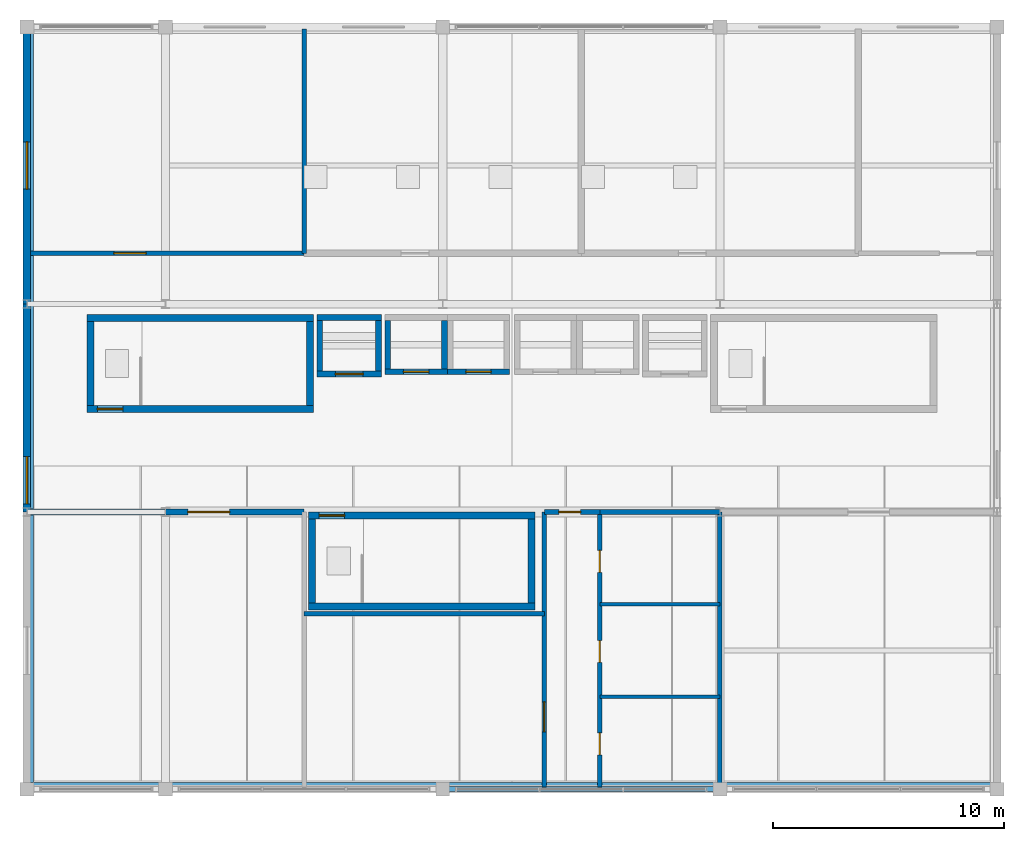
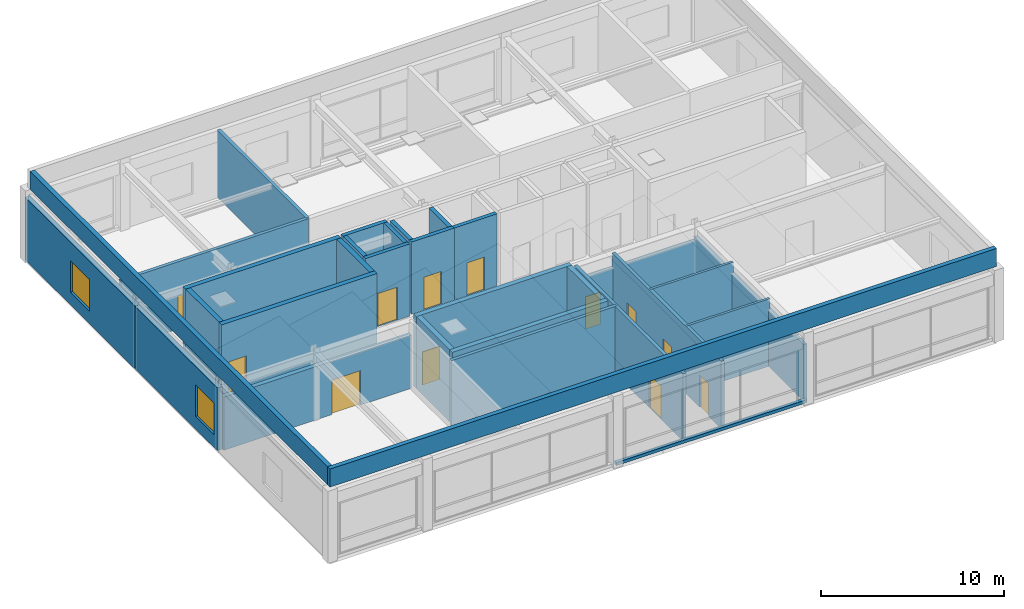
# One storey, part 13 of 16: 32 walls, 12 doors, 2 windows, 14 openings.
"""IFC4 building model written with IfcOpenShell, lengths in metres."""

from ifc_helpers import new_model, si_unit, direction, frame, frame_2d, origin, place, context, subcontext, project, spatial, rectangle, extrude, material, layer, layer_set, type_object, element, fill, save


model = new_model("IFC4")

# Units and contexts
model_context = context("Model", 3, precision=1e-05, world=origin(), true_north=direction((0.0, 1.0)))
body_context = subcontext(model_context, "Body", "Model", "MODEL_VIEW")
ifc_project = project(units=[si_unit("LENGTHUNIT", "METRE"), si_unit("AREAUNIT", "SQUARE_METRE"), si_unit("VOLUMEUNIT", "CUBIC_METRE"), si_unit("PLANEANGLEUNIT", "RADIAN"), si_unit("MASSUNIT", "GRAM", prefix="KILO")], contexts=[model_context])

# Site, building, storey
site_placement = place(None, origin())
site = spatial("IfcSite", under=ifc_project, at=site_placement, CompositionType="ELEMENT")
building_placement = place(site_placement, origin())
building = spatial("IfcBuilding", under=site, at=building_placement, Name="Kaldorvane Square Convention Centre", CompositionType="ELEMENT")
storey_placement = place(building_placement, frame((0.0, 0.0, 70.80000305175781)))
storey = spatial("IfcBuildingStorey", under=building, at=storey_placement, Name="L17", CompositionType="ELEMENT", Elevation=70.80000305175781)

# Wall, opening, door
ifc_material_1 = material(Name="Reinforced Concrete Masonry Acoustic Partition", Category="masonry")
ifc_layer_1 = layer(ifc_material_1, 0.279998779296875)
ifc_layer_set_1 = layer_set([ifc_layer_1], Name="Reinforced Concrete Masonry Acoustic Partition")
wall_type_1 = type_object("IfcWallType", Name="WL-ACO-280", PredefinedType="PARTITIONING", material=ifc_layer_set_1)
wall_1_placement = place(storey_placement, frame((48.0, 96.0, 0.0), z_axis=(0.0, 0.0, 1.0), x_axis=(-1.0, 0.0, 0.0)))
wall_1 = element("IfcWall", 1, at=wall_1_placement, inside=storey, type_object=wall_type_1, Name="Sky Horizon Reception Lounge N Wall", PredefinedType="PARTITIONING", context=body_context, shape_type="SweptSolid", body=[
    extrude(rectangle(XDim=11.839996337890625, YDim=0.279998779296875, at=frame_2d((5.9199981689453125, 0.0))), origin(), (0.0, 0.0, 1.0), 3.5489959716796875),
])
opening_1_placement = place(wall_1_placement, frame((3.2299957275390625, 0.0, 0.0)))
opening_1 = element("IfcOpeningElement", 2, at=opening_1_placement, cuts=wall_1, Name="Opening ID-15", PredefinedType="OPENING", context=body_context, shape_type="SweptSolid", body=[
    extrude(rectangle(XDim=1.8000030517578125, YDim=2.3000030517578125, at=frame_2d((0.899993896484375, 1.149993896484375))), frame((0.0, 0.154998779296875, 0.0), z_axis=(0.0, -1.0, 0.0), x_axis=(1.0, 0.0, 0.0)), (0.0, 0.0, 1.0), 0.30999755859375),
])
ifc_material_2 = material(Name="Acoustic Laminated Glass in Aluminum Frame", Category="aluminium")
door_type_1 = type_object("IfcDoorType", Name="DR-GL-1800X2300", OperationType="DOUBLE_DOOR_SINGLE_SWING", PredefinedType="DOOR", material=ifc_material_2)
door_1_placement = place(opening_1_placement, origin())
door_1 = element("IfcDoor", 3, at=door_1_placement, inside=storey, type_object=door_type_1, Name="Sky Horizon Reception Lounge Door 1", OperationType="DOUBLE_DOOR_SINGLE_SWING", OverallHeight=2.3000030517578125, OverallWidth=1.8000030517578125, PredefinedType="DOOR", context=body_context, shape_type="SweptSolid", body=[
    extrude(rectangle(XDim=1.8000030517578125, YDim=2.3000030517578125, at=frame_2d((0.899993896484375, 1.149993896484375))), frame((0.0, 0.024993896484375, 0.0), z_axis=(0.0, -1.0, 0.0), x_axis=(1.0, 0.0, 0.0)), (0.0, 0.0, 1.0), 0.0500030517578125),
])
fill(opening_1, door_1)

ifc_material_3 = material(Name="Fire-Rated Gypsum Board on Acoustic Steel Studs", Category="steel")
ifc_layer_2 = layer(ifc_material_3, 0.1999969482421875)
ifc_layer_set_2 = layer_set([ifc_layer_2], Name="Fire-Rated Gypsum Board on Acoustic Steel Studs")
wall_type_2 = type_object("IfcWallType", Name="WL-CORR-200", PredefinedType="PARTITIONING", material=ifc_layer_set_2)
wall_2_placement = place(storey_placement, frame((58.399993896484375, 96.0, 0.0), z_axis=(0.0, 0.0, 1.0), x_axis=(1.0, 0.0, 0.0)))
wall_2 = element("IfcWall", 4, at=wall_2_placement, inside=storey, type_object=wall_type_2, Name="Restroom Vestibule Entry Header (L17)", PredefinedType="PARTITIONING", context=body_context, shape_type="SweptSolid", body=[
    extrude(rectangle(XDim=2.4000091552734375, YDim=0.1999969482421875, at=frame_2d((1.20001220703125, 0.0))), origin(), (0.0, 0.0, 1.0), 3.5489959716796875),
])
opening_2_placement = place(wall_2_placement, frame((0.625, 0.0, 0.0)))
opening_2 = element("IfcOpeningElement", 5, at=opening_2_placement, cuts=wall_2, Name="Opening ID-13", PredefinedType="OPENING", context=body_context, shape_type="SweptSolid", body=[
    extrude(rectangle(XDim=0.9499969482421875, YDim=2.149993896484375, at=frame_2d((0.475006103515625, 1.0749969482421875))), frame((0.0, 0.114990234375, 0.0), z_axis=(0.0, -1.0, 0.0), x_axis=(1.0, 0.0, 0.0)), (0.0, 0.0, 1.0), 0.2299957275390625),
])
ifc_material_4 = material(Name="Architectural Solid-Core White Oak")
door_type_2 = type_object("IfcDoorType", Name="DR-WC-0950X2150", OperationType="SINGLE_SWING_LEFT", PredefinedType="DOOR", material=ifc_material_4)
door_2_placement = place(opening_2_placement, origin())
door_2 = element("IfcDoor", 6, at=door_2_placement, inside=storey, type_object=door_type_2, Name="Restroom Vestibule Door (L17)", OperationType="SINGLE_SWING_LEFT", OverallHeight=2.149993896484375, OverallWidth=0.9499969482421875, PredefinedType="DOOR", context=body_context, shape_type="SweptSolid", body=[
    extrude(rectangle(XDim=0.9499969482421875, YDim=2.149993896484375, at=frame_2d((0.475006103515625, 1.0749969482421875))), frame((0.0, 0.024993896484375, 0.0), z_axis=(0.0, -1.0, 0.0), x_axis=(1.0, 0.0, 0.0)), (0.0, 0.0, 1.0), 0.0500030517578125),
])
fill(opening_2, door_2)

wall_3_placement = place(storey_placement, frame((58.399993896484375, 84.08500671386719, 0.0), z_axis=(0.0, 0.0, 1.0), x_axis=(0.0, 1.0, 0.0)))
wall_3 = element("IfcWall", 7, at=wall_3_placement, inside=storey, type_object=wall_type_2, Name="Restroom Vestibule West Wall (L17)", PredefinedType="PARTITIONING", context=body_context, shape_type="SweptSolid", body=[
    extrude(rectangle(XDim=11.914993286132812, YDim=0.1999969482421875, at=frame_2d((5.957489013671875, 0.0))), origin(), (0.0, 0.0, 1.0), 4.4799957275390625),
])
opening_3_placement = place(wall_3_placement, frame((2.399993896484375, 0.0, 0.0)))
opening_3 = element("IfcOpeningElement", 8, at=opening_3_placement, cuts=wall_3, Name="Opening ID-09", PredefinedType="OPENING", context=body_context, shape_type="SweptSolid", body=[
    extrude(rectangle(XDim=1.3000030517578125, YDim=2.1999969482421875, at=frame_2d((0.649993896484375, 1.100006103515625))), frame((0.0, 0.114990234375, 0.0), z_axis=(0.0, -1.0, 0.0), x_axis=(1.0, 0.0, 0.0)), (0.0, 0.0, 1.0), 0.2299957275390625),
])
ifc_material_5 = material(Name="Insulated Hollow Metal Steel", Category="steel")
door_type_3 = type_object("IfcDoorType", Name="DR-SVC-1300X2200", OperationType="DOUBLE_DOOR_SINGLE_SWING", PredefinedType="DOOR", material=ifc_material_5)
door_3_placement = place(opening_3_placement, origin())
door_3 = element("IfcDoor", 9, at=door_3_placement, inside=storey, type_object=door_type_3, Name="Janitor and Service Closet (L17) Door", OperationType="DOUBLE_DOOR_SINGLE_SWING", OverallHeight=2.1999969482421875, OverallWidth=1.3000030517578125, PredefinedType="DOOR", context=body_context, shape_type="SweptSolid", body=[
    extrude(rectangle(XDim=1.3000030517578125, YDim=2.1999969482421875, at=frame_2d((0.649993896484375, 1.100006103515625))), frame((0.0, 0.024993896484375, 0.0), z_axis=(0.0, -1.0, 0.0), x_axis=(1.0, 0.0, 0.0)), (0.0, 0.0, 1.0), 0.0500030517578125),
])
fill(opening_3, door_3)

# Wall, openings, doors
wall_4_placement = place(storey_placement, frame((60.80000305175781, 84.08500671386719, 0.0), z_axis=(0.0, 0.0, 1.0), x_axis=(0.0, 1.0, 0.0)))
wall_4 = element("IfcWall", 10, at=wall_4_placement, inside=storey, type_object=wall_type_2, Name="Restroom Vestibule East Wall (L17)", PredefinedType="PARTITIONING", context=body_context, shape_type="SweptSolid", body=[
    extrude(rectangle(XDim=11.914993286132812, YDim=0.1999969482421875, at=frame_2d((5.957489013671875, 0.0))), origin(), (0.0, 0.0, 1.0), 4.4799957275390625),
])
opening_4_placement = place(wall_4_placement, frame((1.399993896484375, 0.0, 0.0)))
opening_4 = element("IfcOpeningElement", 11, at=opening_4_placement, cuts=wall_4, Name="Opening ID-13", PredefinedType="OPENING", context=body_context, shape_type="SweptSolid", body=[
    extrude(rectangle(XDim=0.9499969482421875, YDim=2.149993896484375, at=frame_2d((0.475006103515625, 1.0749969482421875))), frame((0.0, 0.114990234375, 0.0), z_axis=(0.0, -1.0, 0.0), x_axis=(1.0, 0.0, 0.0)), (0.0, 0.0, 1.0), 0.2299957275390625),
])
opening_5_placement = place(wall_4_placement, frame((5.399993896484375, 0.0, 0.0)))
opening_5 = element("IfcOpeningElement", 12, at=opening_5_placement, cuts=wall_4, Name="Opening ID-13", PredefinedType="OPENING", context=body_context, shape_type="SweptSolid", body=[
    extrude(rectangle(XDim=0.9499969482421875, YDim=2.149993896484375, at=frame_2d((0.475006103515625, 1.0749969482421875))), frame((0.0, 0.114990234375, 0.0), z_axis=(0.0, -1.0, 0.0), x_axis=(1.0, 0.0, 0.0)), (0.0, 0.0, 1.0), 0.2299957275390625),
])
opening_6_placement = place(wall_4_placement, frame((9.300003051757812, 0.0, 0.0)))
opening_6 = element("IfcOpeningElement", 13, at=opening_6_placement, cuts=wall_4, Name="Opening ID-13", PredefinedType="OPENING", context=body_context, shape_type="SweptSolid", body=[
    extrude(rectangle(XDim=0.9499969482421875, YDim=2.149993896484375, at=frame_2d((0.475006103515625, 1.0749969482421875))), frame((0.0, 0.114990234375, 0.0), z_axis=(0.0, -1.0, 0.0), x_axis=(1.0, 0.0, 0.0)), (0.0, 0.0, 1.0), 0.2299957275390625),
])
door_4_placement = place(opening_4_placement, origin())
door_4 = element("IfcDoor", 14, at=door_4_placement, inside=storey, type_object=door_type_2, Name="Accessible Restroom Door (L17)", OperationType="SINGLE_SWING_LEFT", OverallHeight=2.149993896484375, OverallWidth=0.9499969482421875, PredefinedType="DOOR", context=body_context, shape_type="SweptSolid", body=[
    extrude(rectangle(XDim=0.9499969482421875, YDim=2.149993896484375, at=frame_2d((0.475006103515625, 1.0749969482421875))), frame((0.0, 0.024993896484375, 0.0), z_axis=(0.0, -1.0, 0.0), x_axis=(1.0, 0.0, 0.0)), (0.0, 0.0, 1.0), 0.0500030517578125),
])
fill(opening_4, door_4)
door_5_placement = place(opening_5_placement, origin())
door_5 = element("IfcDoor", 15, at=door_5_placement, inside=storey, type_object=door_type_2, Name="Men's Restroom Door (L17)", OperationType="SINGLE_SWING_LEFT", OverallHeight=2.149993896484375, OverallWidth=0.9499969482421875, PredefinedType="DOOR", context=body_context, shape_type="SweptSolid", body=[
    extrude(rectangle(XDim=0.9499969482421875, YDim=2.149993896484375, at=frame_2d((0.475006103515625, 1.0749969482421875))), frame((0.0, 0.024993896484375, 0.0), z_axis=(0.0, -1.0, 0.0), x_axis=(1.0, 0.0, 0.0)), (0.0, 0.0, 1.0), 0.0500030517578125),
])
fill(opening_5, door_5)
door_6_placement = place(opening_6_placement, origin())
door_6 = element("IfcDoor", 16, at=door_6_placement, inside=storey, type_object=door_type_2, Name="Women's Restroom Door (L17)", OperationType="SINGLE_SWING_LEFT", OverallHeight=2.149993896484375, OverallWidth=0.9499969482421875, PredefinedType="DOOR", context=body_context, shape_type="SweptSolid", body=[
    extrude(rectangle(XDim=0.9499969482421875, YDim=2.149993896484375, at=frame_2d((0.475006103515625, 1.0749969482421875))), frame((0.0, 0.024993896484375, 0.0), z_axis=(0.0, -1.0, 0.0), x_axis=(1.0, 0.0, 0.0)), (0.0, 0.0, 1.0), 0.0500030517578125),
])
fill(opening_6, door_6)

# Walls
wall_5_placement = place(storey_placement, frame((66.0, 84.08500671386719, 0.0), z_axis=(0.0, 0.0, 1.0), x_axis=(0.0, 1.0, 0.0)))
element("IfcWall", 17, at=wall_5_placement, inside=storey, type_object=wall_type_2, Name="Restroom East Wall (L17)", PredefinedType="PARTITIONING", context=body_context, shape_type="SweptSolid", body=[
    extrude(rectangle(XDim=11.914993286132812, YDim=0.1999969482421875, at=frame_2d((5.957489013671875, 0.0))), origin(), (0.0, 0.0, 1.0), 3.779998779296875),
])
wall_6_placement = place(storey_placement, frame((60.80000305175781, 96.0, 0.0), z_axis=(0.0, 0.0, 1.0), x_axis=(1.0, 0.0, 0.0)))
element("IfcWall", 18, at=wall_6_placement, inside=storey, type_object=wall_type_2, Name="Restroom North Wall (L17)", PredefinedType="PARTITIONING", context=body_context, shape_type="SweptSolid", body=[
    extrude(rectangle(XDim=5.1999969482421875, YDim=0.1999969482421875, at=frame_2d((2.600006103515625, 0.0))), origin(), (0.0, 0.0, 1.0), 3.5489959716796875),
])
wall_7_placement = place(storey_placement, frame((48.0, 91.60000610351562, 0.0), z_axis=(0.0, 0.0, 1.0), x_axis=(1.0, 0.0, 0.0)))
element("IfcWall", 19, at=wall_7_placement, inside=storey, type_object=wall_type_2, Name="Housekeeping North Wall (L17)", PredefinedType="PARTITIONING", context=body_context, shape_type="SweptSolid", body=[
    extrude(rectangle(XDim=10.399993896484375, YDim=0.1999969482421875, at=frame_2d((5.1999969482421875, 0.0))), origin(), (0.0, 0.0, 1.0), 4.4799957275390625),
])

# Wall, opening, door
wall_8_placement = place(storey_placement, frame((36.160003662109375, 107.19999694824219, 0.0), z_axis=(0.0, 0.0, 1.0), x_axis=(1.0, 0.0, 0.0)))
wall_8 = element("IfcWall", 20, at=wall_8_placement, inside=storey, type_object=wall_type_2, Name="Skyline Banquet Catering Kitchen S Wall", PredefinedType="PARTITIONING", context=body_context, shape_type="SweptSolid", body=[
    extrude(rectangle(XDim=11.839996337890625, YDim=0.1999969482421875, at=frame_2d((5.9199981689453125, 0.0))), origin(), (0.0, 0.0, 1.0), 4.4799957275390625),
])
opening_7_placement = place(wall_8_placement, frame((3.600006103515625, 0.0, 0.0)))
opening_7 = element("IfcOpeningElement", 21, at=opening_7_placement, cuts=wall_8, Name="Opening ID-08", PredefinedType="OPENING", context=body_context, shape_type="SweptSolid", body=[
    extrude(rectangle(XDim=1.399993896484375, YDim=2.1999969482421875, at=frame_2d((0.6999969482421875, 1.100006103515625))), frame((0.0, 0.114990234375, 0.0), z_axis=(0.0, -1.0, 0.0), x_axis=(1.0, 0.0, 0.0)), (0.0, 0.0, 1.0), 0.2299957275390625),
])
door_type_4 = type_object("IfcDoorType", Name="DR-SVC-1400X2200", OperationType="DOUBLE_DOOR_SINGLE_SWING", PredefinedType="DOOR", material=ifc_material_5)
door_7_placement = place(opening_7_placement, origin())
door_7 = element("IfcDoor", 22, at=door_7_placement, inside=storey, type_object=door_type_4, Name="Skyline Banquet Catering Kitchen Door 1", OperationType="DOUBLE_DOOR_SINGLE_SWING", OverallHeight=2.1999969482421875, OverallWidth=1.399993896484375, PredefinedType="DOOR", context=body_context, shape_type="SweptSolid", body=[
    extrude(rectangle(XDim=1.399993896484375, YDim=2.1999969482421875, at=frame_2d((0.6999969482421875, 1.100006103515625))), frame((0.0, 0.024993896484375, 0.0), z_axis=(0.0, -1.0, 0.0), x_axis=(1.0, 0.0, 0.0)), (0.0, 0.0, 1.0), 0.0500030517578125),
])
fill(opening_7, door_7)

# Wall
wall_9_placement = place(storey_placement, frame((48.0, 107.19999694824219, 0.0), z_axis=(0.0, 0.0, 1.0), x_axis=(0.0, 1.0, 0.0)))
element("IfcWall", 23, at=wall_9_placement, inside=storey, type_object=wall_type_2, Name="Skyline Banquet Catering Kitchen E Wall", PredefinedType="PARTITIONING", context=body_context, shape_type="SweptSolid", body=[
    extrude(rectangle(XDim=9.714996337890625, YDim=0.1999969482421875, at=frame_2d((4.8574981689453125, 0.0))), origin(), (0.0, 0.0, 1.0), 4.4799957275390625),
])

# Wall, opening, window
ifc_material_6 = material(Name="Concrete f'c = 35 MPa (Normalweight)", Category="concrete")
ifc_layer_3 = layer(ifc_material_6, 0.32000732421875)
ifc_layer_set_3 = layer_set([ifc_layer_3], Name="Concrete f'c = 35 MPa (Normalweight)")
wall_type_3 = type_object("IfcWallType", Name="WL-EXT-320", PredefinedType="STANDARD", material=ifc_layer_set_3)
wall_10_placement = place(storey_placement, frame((36.0, 105.0, 0.0), z_axis=(0.0, 0.0, 1.0), x_axis=(0.0, -1.0, 0.0)))
wall_10 = element("IfcWall", 24, at=wall_10_placement, inside=storey, type_object=wall_type_3, Name="Hotel W End Wall (L17)", PredefinedType="STANDARD", context=body_context, shape_type="SweptSolid", body=[
    extrude(rectangle(XDim=9.0, YDim=0.32000732421875, at=frame_2d((4.5, 0.0))), origin(), (0.0, 0.0, 1.0), 4.170989990234375),
])
opening_8_placement = place(wall_10_placement, frame((6.600006103515625, 0.0, 0.850006103515625)))
opening_8 = element("IfcOpeningElement", 25, at=opening_8_placement, cuts=wall_10, Name="Opening W-28", PredefinedType="OPENING", context=body_context, shape_type="SweptSolid", body=[
    extrude(rectangle(XDim=2.0500030517578125, YDim=2.100006103515625, at=frame_2d((1.024993896484375, 1.0500030517578125))), frame((0.0, 0.1750030517578125, 0.0), z_axis=(0.0, -1.0, 0.0), x_axis=(1.0, 0.0, 0.0)), (0.0, 0.0, 1.0), 0.350006103515625),
])
ifc_material_7 = material(Name="Anodized Aluminum and Low-E Insulated Glazing", Category="aluminium")
window_type = type_object("IfcWindowType", Name="WN-PNT-2050X2100", PartitioningType="DOUBLE_PANEL_VERTICAL", PredefinedType="WINDOW", material=ifc_material_7)
window_1_placement = place(opening_8_placement, origin())
window_1 = element("IfcWindow", 26, at=window_1_placement, inside=storey, type_object=window_type, Name="Hotel End Window W (L17)", OverallHeight=2.100006103515625, OverallWidth=2.0500030517578125, PartitioningType="DOUBLE_PANEL_VERTICAL", PredefinedType="WINDOW", context=body_context, shape_type="SweptSolid", body=[
    extrude(rectangle(XDim=2.0500030517578125, YDim=2.100006103515625, at=frame_2d((1.024993896484375, 1.0500030517578125))), frame((0.0, 0.029998779296875, 0.0), z_axis=(0.0, -1.0, 0.0), x_axis=(1.0, 0.0, 0.0)), (0.0, 0.0, 1.0), 0.05999755859375),
])
fill(opening_8, window_1)

wall_11_placement = place(storey_placement, frame((36.0, 117.0, 0.0), z_axis=(0.0, 0.0, 1.0), x_axis=(0.0, -1.0, 0.0)))
wall_11 = element("IfcWall", 27, at=wall_11_placement, inside=storey, type_object=wall_type_3, Name="Hotel W End Wall (L17)", PredefinedType="STANDARD", context=body_context, shape_type="SweptSolid", body=[
    extrude(rectangle(XDim=12.0, YDim=0.32000732421875, at=frame_2d((6.0, 0.0))), origin(), (0.0, 0.0, 1.0), 4.170989990234375),
])
opening_9_placement = place(wall_11_placement, frame((4.975006103515625, 0.0, 0.850006103515625)))
opening_9 = element("IfcOpeningElement", 28, at=opening_9_placement, cuts=wall_11, Name="Opening W-28", PredefinedType="OPENING", context=body_context, shape_type="SweptSolid", body=[
    extrude(rectangle(XDim=2.0500030517578125, YDim=2.100006103515625, at=frame_2d((1.024993896484375, 1.0500030517578125))), frame((0.0, 0.1750030517578125, 0.0), z_axis=(0.0, -1.0, 0.0), x_axis=(1.0, 0.0, 0.0)), (0.0, 0.0, 1.0), 0.350006103515625),
])
window_2_placement = place(opening_9_placement, origin())
window_2 = element("IfcWindow", 29, at=window_2_placement, inside=storey, type_object=window_type, Name="Hotel End Window W (L17)", OverallHeight=2.100006103515625, OverallWidth=2.0500030517578125, PartitioningType="DOUBLE_PANEL_VERTICAL", PredefinedType="WINDOW", context=body_context, shape_type="SweptSolid", body=[
    extrude(rectangle(XDim=2.0500030517578125, YDim=2.100006103515625, at=frame_2d((1.024993896484375, 1.0500030517578125))), frame((0.0, 0.029998779296875, 0.0), z_axis=(0.0, -1.0, 0.0), x_axis=(1.0, 0.0, 0.0)), (0.0, 0.0, 1.0), 0.05999755859375),
])
fill(opening_9, window_2)

# Walls
ifc_layer_4 = layer(ifc_material_6, 0.220001220703125)
ifc_layer_set_4 = layer_set([ifc_layer_4], Name="Concrete f'c = 35 MPa (Normalweight)")
wall_type_4 = type_object("IfcWallType", Name="WL-PAR-220", PredefinedType="PARAPET", material=ifc_layer_set_4)
wall_12_placement = place(storey_placement, frame((54.0, 84.0, 0.0), z_axis=(0.0, 0.0, 1.0), x_axis=(1.0, 0.0, 0.0)))
element("IfcWall", 30, at=wall_12_placement, inside=storey, type_object=wall_type_4, Name="Penthouse Glazing Sill (S)", PredefinedType="PARAPET", context=body_context, shape_type="SweptSolid", body=[
    extrude(rectangle(XDim=12.0, YDim=0.220001220703125, at=frame_2d((6.0, 0.0))), origin(), (0.0, 0.0, 1.0), 0.1999969482421875),
])
ifc_layer_5 = layer(ifc_material_6, 0.279998779296875)
ifc_layer_set_5 = layer_set([ifc_layer_5], Name="Concrete f'c = 35 MPa (Normalweight)")
wall_type_5 = type_object("IfcWallType", Name="WL-PAR-280", PredefinedType="PARAPET", material=ifc_layer_set_5)
wall_13_placement = place(storey_placement, frame((36.0, 84.13999938964844, 4.8000030517578125), z_axis=(0.0, 0.0, 1.0), x_axis=(1.0, 0.0, 0.0)))
element("IfcWall", 31, at=wall_13_placement, inside=storey, type_object=wall_type_5, Name="Tower Crown Roof Parapet S", PredefinedType="PARAPET", context=body_context, shape_type="SweptSolid", body=[
    extrude(rectangle(XDim=42.0, YDim=0.279998779296875, at=frame_2d((21.0, 0.0))), origin(), (0.0, 0.0, 1.0), 1.1999969482421875),
])
wall_14_placement = place(storey_placement, frame((36.13999938964844, 116.72000122070312, 4.8000030517578125), z_axis=(0.0, 0.0, 1.0), x_axis=(0.0, -1.0, 0.0)))
element("IfcWall", 32, at=wall_14_placement, inside=storey, type_object=wall_type_5, Name="Tower Crown Roof Parapet W", PredefinedType="PARAPET", context=body_context, shape_type="SweptSolid", body=[
    extrude(rectangle(XDim=32.44000244140625, YDim=0.279998779296875, at=frame_2d((16.220001220703125, 0.0))), origin(), (0.0, 0.0, 1.0), 1.1999969482421875),
])
ifc_layer_6 = layer(ifc_material_3, 0.149993896484375)
ifc_layer_set_6 = layer_set([ifc_layer_6], Name="Fire-Rated Gypsum Board on Acoustic Steel Studs")
wall_type_6 = type_object("IfcWallType", Name="WL-PART-150", PredefinedType="PARTITIONING", material=ifc_layer_set_6)
for number, where, z_axis, x_axis, name in (
    (33, (60.80000305175781, 88.0, 0.0), (0.0, 0.0, 1.0), (1.0, 0.0, 0.0), "Restroom Partition 1 (L17)"),
    (34, (60.80000305175781, 92.0, 0.0), (0.0, 0.0, 1.0), (1.0, 0.0, 0.0), "Restroom Partition 2 (L17)"),
):
    element("IfcWall", number, at=place(storey_placement, frame(where, z_axis=z_axis, x_axis=x_axis)), inside=storey, type_object=wall_type_6, Name=name, PredefinedType="PARTITIONING", context=body_context, shape_type="SweptSolid", body=[
        extrude(rectangle(XDim=5.1999969482421875, YDim=0.149993896484375, at=frame_2d((2.600006103515625, 0.0))), origin(), (0.0, 0.0, 1.0), 4.4799957275390625),
    ])

# Wall, opening, door
ifc_material_8 = material(Name="Concrete f'c = 55 MPa (Normalweight)", Category="concrete")
ifc_layer_7 = layer(ifc_material_8, 0.3000030517578125)
ifc_layer_set_7 = layer_set([ifc_layer_7], Name="Concrete f'c = 55 MPa (Normalweight)")
wall_type_7 = type_object("IfcWallType", Name="WL-SHAFT-300", PredefinedType="SHEAR", material=ifc_layer_set_7)
wall_15_placement = place(storey_placement, frame((38.600006103515625, 100.46000671386719, 0.0), z_axis=(0.0, 0.0, 1.0), x_axis=(1.0, 0.0, 0.0)))
wall_15 = element("IfcWall", 35, at=wall_15_placement, inside=storey, type_object=wall_type_7, Name="Core Enclosure Wall stair:ST-T1-S (L17)", PredefinedType="SHEAR", context=body_context, shape_type="SweptSolid", body=[
    extrude(rectangle(XDim=9.79998779296875, YDim=0.3000030517578125, at=frame_2d((4.899993896484375, 0.0))), origin(), (0.0, 0.0, 1.0), 4.8000030517578125),
])
opening_10_placement = place(wall_15_placement, frame((0.4499969482421875, 0.0, 0.0)))
opening_10 = element("IfcOpeningElement", 36, at=opening_10_placement, cuts=wall_15, Name="Opening FD90-S1", PredefinedType="OPENING", context=body_context, shape_type="SweptSolid", body=[
    extrude(rectangle(XDim=1.100006103515625, YDim=2.1999969482421875, at=frame_2d((0.5500030517578125, 1.100006103515625))), frame((0.0, 0.165008544921875, 0.0), z_axis=(0.0, -1.0, 0.0), x_axis=(1.0, 0.0, 0.0)), (0.0, 0.0, 1.0), 0.3300018310546875),
])
ifc_material_9 = material(Name="Fire-Rated Hollow Metal Steel", Category="steel")
door_type_5 = type_object("IfcDoorType", Name="DR-STAIR-1100", OperationType="SINGLE_SWING_RIGHT", PredefinedType="DOOR", material=ifc_material_9)
door_8_placement = place(opening_10_placement, origin())
door_8 = element("IfcDoor", 37, at=door_8_placement, inside=storey, type_object=door_type_5, Name="Tower Exit Stair T1 Fire Door (L17)", OperationType="SINGLE_SWING_RIGHT", OverallHeight=2.1999969482421875, OverallWidth=1.100006103515625, PredefinedType="DOOR", context=body_context, shape_type="SweptSolid", body=[
    extrude(rectangle(XDim=1.100006103515625, YDim=2.1999969482421875, at=frame_2d((0.5500030517578125, 1.100006103515625))), frame((0.0, 0.024993896484375, 0.0), z_axis=(0.0, -1.0, 0.0), x_axis=(1.0, 0.0, 0.0)), (0.0, 0.0, 1.0), 0.0500030517578125),
])
fill(opening_10, door_8)

# Walls
wall_16_placement = place(storey_placement, frame((48.399993896484375, 104.39999389648438, 0.0), z_axis=(0.0, 0.0, 1.0), x_axis=(-1.0, 0.0, 0.0)))
element("IfcWall", 38, at=wall_16_placement, inside=storey, type_object=wall_type_7, Name="Core Enclosure Wall stair:ST-T1-N (L17)", PredefinedType="SHEAR", context=body_context, shape_type="SweptSolid", body=[
    extrude(rectangle(XDim=9.79998779296875, YDim=0.3000030517578125, at=frame_2d((4.899993896484375, 0.0))), origin(), (0.0, 0.0, 1.0), 4.8000030517578125),
])
for number, where, z_axis, x_axis, name in (
    (39, (38.75, 104.25, 0.0), (0.0, 0.0, 1.0), (0.0, -1.0, 0.0), "Core Enclosure Wall stair:ST-T1-W (L17)"),
    (40, (48.25, 100.61000061035156, 0.0), (0.0, 0.0, 1.0), (0.0, 1.0, 0.0), "Core Enclosure Wall stair:ST-T1-E (L17)"),
):
    element("IfcWall", number, at=place(storey_placement, frame(where, z_axis=z_axis, x_axis=x_axis)), inside=storey, type_object=wall_type_7, Name=name, PredefinedType="SHEAR", context=body_context, shape_type="SweptSolid", body=[
        extrude(rectangle(XDim=3.6399993896484375, YDim=0.3000030517578125, at=frame_2d((1.82000732421875, 0.0))), origin(), (0.0, 0.0, 1.0), 4.8000030517578125),
    ])
wall_17_placement = place(storey_placement, frame((48.19999694824219, 91.91000366210938, 0.0), z_axis=(0.0, 0.0, 1.0), x_axis=(1.0, 0.0, 0.0)))
element("IfcWall", 41, at=wall_17_placement, inside=storey, type_object=wall_type_7, Name="Core Enclosure Wall stair:ST-T3-S (L17)", PredefinedType="SHEAR", context=body_context, shape_type="SweptSolid", body=[
    extrude(rectangle(XDim=9.800003051757812, YDim=0.3000030517578125, at=frame_2d((4.899993896484375, 0.0))), origin(), (0.0, 0.0, 1.0), 4.8000030517578125),
])

# Wall, opening, door
wall_18_placement = place(storey_placement, frame((58.0, 95.85000610351562, 0.0), z_axis=(0.0, 0.0, 1.0), x_axis=(-1.0, 0.0, 0.0)))
wall_18 = element("IfcWall", 42, at=wall_18_placement, inside=storey, type_object=wall_type_7, Name="Core Enclosure Wall stair:ST-T3-N (L17)", PredefinedType="SHEAR", context=body_context, shape_type="SweptSolid", body=[
    extrude(rectangle(XDim=9.800003051757812, YDim=0.3000030517578125, at=frame_2d((4.899993896484375, 0.0))), origin(), (0.0, 0.0, 1.0), 4.8000030517578125),
])
opening_11_placement = place(wall_18_placement, frame((8.25, 0.0, 0.0)))
opening_11 = element("IfcOpeningElement", 43, at=opening_11_placement, cuts=wall_18, Name="Opening FD90-S1", PredefinedType="OPENING", context=body_context, shape_type="SweptSolid", body=[
    extrude(rectangle(XDim=1.100006103515625, YDim=2.1999969482421875, at=frame_2d((0.5500030517578125, 1.100006103515625))), frame((0.0, 0.165008544921875, 0.0), z_axis=(0.0, -1.0, 0.0), x_axis=(1.0, 0.0, 0.0)), (0.0, 0.0, 1.0), 0.3300018310546875),
])
door_9_placement = place(opening_11_placement, origin())
door_9 = element("IfcDoor", 44, at=door_9_placement, inside=storey, type_object=door_type_5, Name="Tower Exit Stair T3 Fire Door (L17)", OperationType="SINGLE_SWING_RIGHT", OverallHeight=2.1999969482421875, OverallWidth=1.100006103515625, PredefinedType="DOOR", context=body_context, shape_type="SweptSolid", body=[
    extrude(rectangle(XDim=1.100006103515625, YDim=2.1999969482421875, at=frame_2d((0.5500030517578125, 1.100006103515625))), frame((0.0, 0.024993896484375, 0.0), z_axis=(0.0, -1.0, 0.0), x_axis=(1.0, 0.0, 0.0)), (0.0, 0.0, 1.0), 0.0500030517578125),
])
fill(opening_11, door_9)

# Walls
for number, where, z_axis, x_axis, name in (
    (45, (48.350006103515625, 95.69999694824219, 0.0), (0.0, 0.0, 1.0), (0.0, -1.0, 0.0), "Core Enclosure Wall stair:ST-T3-W (L17)"),
    (46, (57.850006103515625, 92.05999755859375, 0.0), (0.0, 0.0, 1.0), (0.0, 1.0, 0.0), "Core Enclosure Wall stair:ST-T3-E (L17)"),
):
    element("IfcWall", number, at=place(storey_placement, frame(where, z_axis=z_axis, x_axis=x_axis)), inside=storey, type_object=wall_type_7, Name=name, PredefinedType="SHEAR", context=body_context, shape_type="SweptSolid", body=[
        extrude(rectangle(XDim=3.6399993896484375, YDim=0.3000030517578125, at=frame_2d((1.82000732421875, 0.0))), origin(), (0.0, 0.0, 1.0), 4.8000030517578125),
    ])

# Wall, opening, door
wall_19_placement = place(storey_placement, frame((48.55000305175781, 101.97500610351562, 0.0), z_axis=(0.0, 0.0, 1.0), x_axis=(1.0, 0.0, 0.0)))
wall_19 = element("IfcWall", 47, at=wall_19_placement, inside=storey, type_object=wall_type_7, Name="Core Enclosure Wall lift:FSAE-01-S (L17)", PredefinedType="SHEAR", context=body_context, shape_type="SweptSolid", body=[
    extrude(rectangle(XDim=2.8000030517578125, YDim=0.25, at=frame_2d((1.399993896484375, 0.0))), origin(), (0.0, 0.0, 1.0), 4.8000030517578125),
])
opening_12_placement = place(wall_19_placement, frame((0.8000030517578125, 0.0, 0.0)))
opening_12 = element("IfcOpeningElement", 48, at=opening_12_placement, cuts=wall_19, Name="Opening LD-02", PredefinedType="OPENING", context=body_context, shape_type="SweptSolid", body=[
    extrude(rectangle(XDim=1.1999969482421875, YDim=2.1999969482421875, at=frame_2d((0.600006103515625, 1.100006103515625))), frame((0.0, 0.1399993896484375, 0.0), z_axis=(0.0, -1.0, 0.0), x_axis=(1.0, 0.0, 0.0)), (0.0, 0.0, 1.0), 0.279998779296875),
])
ifc_material_10 = material(Name="Stainless Steel Elevator Door Assembly", Category="steel")
door_type_6 = type_object("IfcDoorType", Name="DR-LIFT-1200", OperationType="DOUBLE_DOOR_SLIDING", PredefinedType="DOOR", material=ifc_material_10)
door_10_placement = place(opening_12_placement, origin())
door_10 = element("IfcDoor", 49, at=door_10_placement, inside=storey, type_object=door_type_6, Name="Elevator Landing Door FSAE-01 (L17)", OperationType="DOUBLE_DOOR_SLIDING", OverallHeight=2.1999969482421875, OverallWidth=1.1999969482421875, PredefinedType="DOOR", context=body_context, shape_type="SweptSolid", body=[
    extrude(rectangle(XDim=1.1999969482421875, YDim=2.1999969482421875, at=frame_2d((0.600006103515625, 1.100006103515625))), frame((0.0, 0.024993896484375, 0.0), z_axis=(0.0, -1.0, 0.0), x_axis=(1.0, 0.0, 0.0)), (0.0, 0.0, 1.0), 0.0500030517578125),
])
fill(opening_12, door_10)

# Walls
wall_20_placement = place(storey_placement, frame((51.350006103515625, 104.42500305175781, 0.0), z_axis=(0.0, 0.0, 1.0), x_axis=(-1.0, 0.0, 0.0)))
element("IfcWall", 50, at=wall_20_placement, inside=storey, type_object=wall_type_7, Name="Core Enclosure Wall lift:FSAE-01-N (L17)", PredefinedType="SHEAR", context=body_context, shape_type="SweptSolid", body=[
    extrude(rectangle(XDim=2.8000030517578125, YDim=0.25, at=frame_2d((1.399993896484375, 0.0))), origin(), (0.0, 0.0, 1.0), 4.8000030517578125),
])
for number, where, z_axis, x_axis, name in (
    (51, (48.67500305175781, 104.30000305175781, 0.0), (0.0, 0.0, 1.0), (0.0, -1.0, 0.0), "Core Enclosure Wall lift:FSAE-01-W (L17)"),
    (52, (51.225006103515625, 102.10000610351562, 0.0), (0.0, 0.0, 1.0), (0.0, 1.0, 0.0), "Core Enclosure Wall lift:FSAE-01-E (L17)"),
):
    element("IfcWall", number, at=place(storey_placement, frame(where, z_axis=z_axis, x_axis=x_axis)), inside=storey, type_object=wall_type_7, Name=name, PredefinedType="SHEAR", context=body_context, shape_type="SweptSolid", body=[
        extrude(rectangle(XDim=2.1999969482421875, YDim=0.25, at=frame_2d((1.100006103515625, 0.0))), origin(), (0.0, 0.0, 1.0), 4.8000030517578125),
    ])

# Wall, opening, door
wall_21_placement = place(storey_placement, frame((51.5, 102.07499694824219, 0.0), z_axis=(0.0, 0.0, 1.0), x_axis=(1.0, 0.0, 0.0)))
wall_21 = element("IfcWall", 53, at=wall_21_placement, inside=storey, type_object=wall_type_7, Name="Core Enclosure Wall lift:EL-P1-S (L17)", PredefinedType="SHEAR", context=body_context, shape_type="SweptSolid", body=[
    extrude(rectangle(XDim=2.6999969482421875, YDim=0.25, at=frame_2d((1.350006103515625, 0.0))), origin(), (0.0, 0.0, 1.0), 4.8000030517578125),
])
opening_13_placement = place(wall_21_placement, frame((0.8000030517578125, 0.0, 0.0)))
opening_13 = element("IfcOpeningElement", 54, at=opening_13_placement, cuts=wall_21, Name="Opening LD-01", PredefinedType="OPENING", context=body_context, shape_type="SweptSolid", body=[
    extrude(rectangle(XDim=1.100006103515625, YDim=2.1999969482421875, at=frame_2d((0.5500030517578125, 1.100006103515625))), frame((0.0, 0.1399993896484375, 0.0), z_axis=(0.0, -1.0, 0.0), x_axis=(1.0, 0.0, 0.0)), (0.0, 0.0, 1.0), 0.279998779296875),
])
door_type_7 = type_object("IfcDoorType", Name="DR-LIFT-1100", OperationType="DOUBLE_DOOR_SLIDING", PredefinedType="DOOR", material=ifc_material_10)
door_11_placement = place(opening_13_placement, origin())
door_11 = element("IfcDoor", 55, at=door_11_placement, inside=storey, type_object=door_type_7, Name="Elevator Landing Door EL-P1 (L17)", OperationType="DOUBLE_DOOR_SLIDING", OverallHeight=2.1999969482421875, OverallWidth=1.100006103515625, PredefinedType="DOOR", context=body_context, shape_type="SweptSolid", body=[
    extrude(rectangle(XDim=1.100006103515625, YDim=2.1999969482421875, at=frame_2d((0.5500030517578125, 1.100006103515625))), frame((0.0, 0.024993896484375, 0.0), z_axis=(0.0, -1.0, 0.0), x_axis=(1.0, 0.0, 0.0)), (0.0, 0.0, 1.0), 0.0500030517578125),
])
fill(opening_13, door_11)

# Walls
for number, where, z_axis, x_axis, name in (
    (56, (51.625, 104.30000305175781, 0.0), (0.0, 0.0, 1.0), (0.0, -1.0, 0.0), "Core Enclosure Wall lift:EL-P1-W (L17)"),
    (57, (54.07499694824219, 102.19999694824219, 0.0), (0.0, 0.0, 1.0), (0.0, 1.0, 0.0), "Core Enclosure Wall lift:EL-P1-E (L17)"),
):
    element("IfcWall", number, at=place(storey_placement, frame(where, z_axis=z_axis, x_axis=x_axis)), inside=storey, type_object=wall_type_7, Name=name, PredefinedType="SHEAR", context=body_context, shape_type="SweptSolid", body=[
        extrude(rectangle(XDim=2.100006103515625, YDim=0.25, at=frame_2d((1.0500030517578125, 0.0))), origin(), (0.0, 0.0, 1.0), 4.8000030517578125),
    ])

# Wall, opening, door
wall_22_placement = place(storey_placement, frame((54.19999694824219, 102.07499694824219, 0.0), z_axis=(0.0, 0.0, 1.0), x_axis=(1.0, 0.0, 0.0)))
wall_22 = element("IfcWall", 58, at=wall_22_placement, inside=storey, type_object=wall_type_7, Name="Core Enclosure Wall lift:EL-P2-S (L17)", PredefinedType="SHEAR", context=body_context, shape_type="SweptSolid", body=[
    extrude(rectangle(XDim=2.6999969482421875, YDim=0.25, at=frame_2d((1.350006103515625, 0.0))), origin(), (0.0, 0.0, 1.0), 4.8000030517578125),
])
opening_14_placement = place(wall_22_placement, frame((0.8000030517578125, 0.0, 0.0)))
opening_14 = element("IfcOpeningElement", 59, at=opening_14_placement, cuts=wall_22, Name="Opening LD-01", PredefinedType="OPENING", context=body_context, shape_type="SweptSolid", body=[
    extrude(rectangle(XDim=1.100006103515625, YDim=2.1999969482421875, at=frame_2d((0.5500030517578125, 1.100006103515625))), frame((0.0, 0.1399993896484375, 0.0), z_axis=(0.0, -1.0, 0.0), x_axis=(1.0, 0.0, 0.0)), (0.0, 0.0, 1.0), 0.279998779296875),
])
door_12_placement = place(opening_14_placement, origin())
door_12 = element("IfcDoor", 60, at=door_12_placement, inside=storey, type_object=door_type_7, Name="Elevator Landing Door EL-P2 (L17)", OperationType="DOUBLE_DOOR_SLIDING", OverallHeight=2.1999969482421875, OverallWidth=1.100006103515625, PredefinedType="DOOR", context=body_context, shape_type="SweptSolid", body=[
    extrude(rectangle(XDim=1.100006103515625, YDim=2.1999969482421875, at=frame_2d((0.5500030517578125, 1.100006103515625))), frame((0.0, 0.024993896484375, 0.0), z_axis=(0.0, -1.0, 0.0), x_axis=(1.0, 0.0, 0.0)), (0.0, 0.0, 1.0), 0.0500030517578125),
])
fill(opening_14, door_12)

save(model, "model.ifc")
